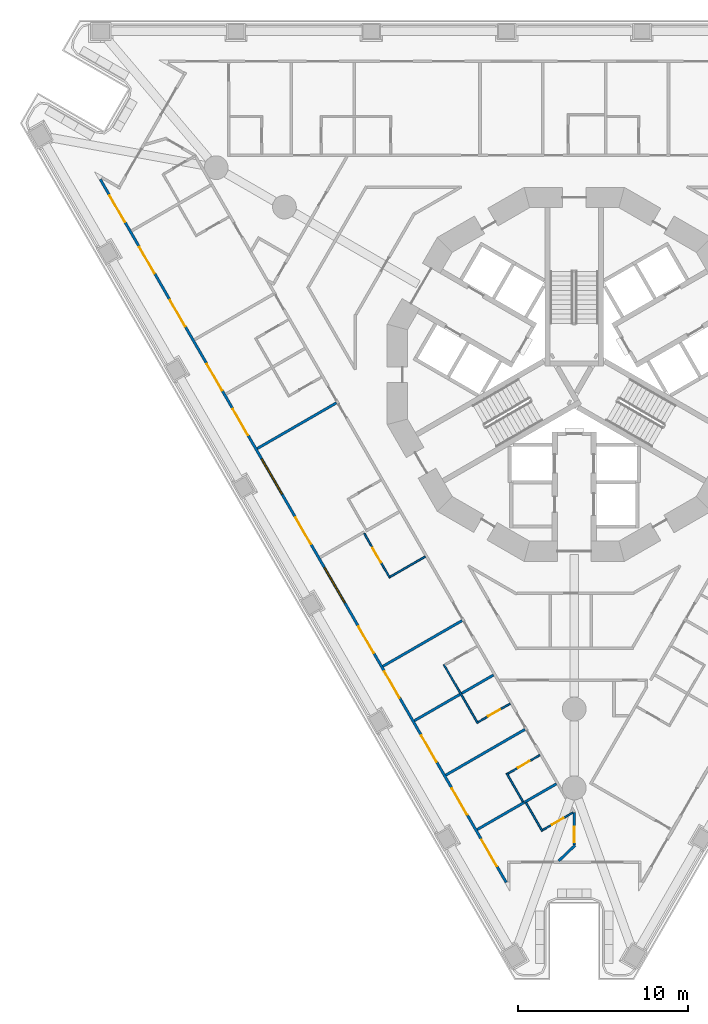
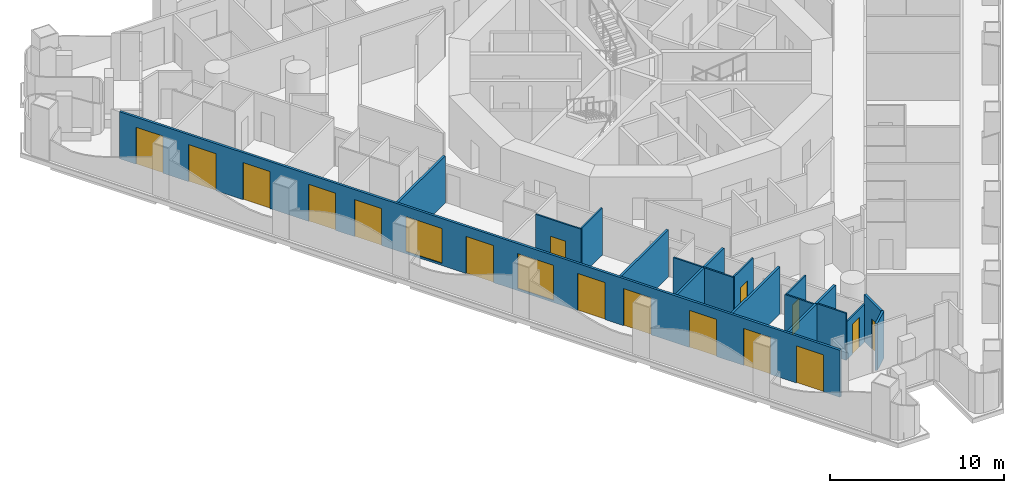
# One storey, part 2 of 19: 17 walls, 16 doors, 2 windows, 18 openings.
"""IFC4 building model written with IfcOpenShell, lengths in metres."""

from ifc_helpers import new_model, si_unit, direction, frame, frame_2d, origin, place, context, subcontext, project, spatial, polyline, rectangle, outline, extrude, material, layer, layer_set, type_object, element, fill, save


model = new_model("IFC4")

# Units and contexts
model_context = context("Model", 3, precision=1e-05, world=origin(), true_north=direction((0.0, 1.0)))
body_context = subcontext(model_context, "Body", "Model", "MODEL_VIEW")
ifc_project = project(units=[si_unit("LENGTHUNIT", "METRE"), si_unit("AREAUNIT", "SQUARE_METRE"), si_unit("VOLUMEUNIT", "CUBIC_METRE"), si_unit("PLANEANGLEUNIT", "RADIAN"), si_unit("MASSUNIT", "GRAM", prefix="KILO")], contexts=[model_context])

# Site, building, storey
site_placement = place(None, origin())
site = spatial("IfcSite", under=ifc_project, at=site_placement, CompositionType="ELEMENT")
building_placement = place(site_placement, origin())
building = spatial("IfcBuilding", under=site, at=building_placement, Name="Trine Commons Tower", CompositionType="ELEMENT")
storey_placement = place(building_placement, frame((0.0, 0.0, 31.5)))
storey = spatial("IfcBuildingStorey", under=building, at=storey_placement, Name="L06", CompositionType="ELEMENT", Elevation=31.5)

# Wall, openings, windows, doors
ifc_material_1 = material(Name="Aluminium-framed insulated wall panel", Category="aluminium")
ifc_layer_1 = layer(ifc_material_1, 0.14990234375)
ifc_layer_set_1 = layer_set([ifc_layer_1], Name="Aluminium-framed insulated wall panel")
wall_type_1 = type_object("IfcWallType", Name="Glazed frame wall 150, EI 60", PredefinedType="SOLIDWALL", material=ifc_layer_set_1)
wall_1_placement = place(storey_placement, frame((76.069580078125, 32.46826171875, 0.0), z_axis=(0.0, 0.0, 1.0), x_axis=(-0.499998600735, 0.866026211649, 0.0)))
wall_1 = element("IfcWall", 1, at=wall_1_placement, inside=storey, type_object=wall_type_1, Name="Glazed frame wall F3", PredefinedType="SOLIDWALL", context=body_context, shape_type="SweptSolid", body=[
    extrude(outline(polyline([(0.1494140625, 0.074951171875), (0.1494140625, -0.074951171875), (47.93701171875, -0.074951171875), (47.93701171875, 0.074951171875), (0.1494140625, 0.074951171875)])), origin(), (0.0, 0.0, 1.0), 3.300048828125),
])
opening_1_placement = place(wall_1_placement, frame((1.24951171875, 0.0, 0.0)))
opening_1 = element("IfcOpeningElement", 2, at=opening_1_placement, cuts=wall_1, Name="Opening BD-1F3-01", PredefinedType="OPENING", context=body_context, shape_type="SweptSolid", body=[
    extrude(rectangle(XDim=1.800048828125, YDim=2.60009765625, at=frame_2d((0.89990234375, 1.300048828125))), frame((0.0, 0.0849609375, 0.0), z_axis=(0.0, -1.0, 0.0), x_axis=(1.0, 0.0, 0.0)), (0.0, 0.0, 1.0), 0.169921875),
])
opening_2_placement = place(wall_1_placement, frame((4.748291015625, 0.0, 0.0)))
opening_2 = element("IfcOpeningElement", 3, at=opening_2_placement, cuts=wall_1, Name="Opening BD-1F3-02", PredefinedType="OPENING", context=body_context, shape_type="SweptSolid", body=[
    extrude(rectangle(XDim=1.800048828125, YDim=2.60009765625, at=frame_2d((0.89990234375, 1.300048828125))), frame((0.0, 0.0849609375, 0.0), z_axis=(0.0, -1.0, 0.0), x_axis=(1.0, 0.0, 0.0)), (0.0, 0.0, 1.0), 0.169921875),
])
opening_3_placement = place(wall_1_placement, frame((8.347412109375, 0.0, 0.0)))
opening_3 = element("IfcOpeningElement", 4, at=opening_3_placement, cuts=wall_1, Name="Opening BD-1F3-03", PredefinedType="OPENING", context=body_context, shape_type="SweptSolid", body=[
    extrude(rectangle(XDim=1.800048828125, YDim=2.60009765625, at=frame_2d((0.89990234375, 1.300048828125))), frame((0.0, 0.0849609375, 0.0), z_axis=(0.0, -1.0, 0.0), x_axis=(1.0, 0.0, 0.0)), (0.0, 0.0, 1.0), 0.169921875),
])
opening_4_placement = place(wall_1_placement, frame((12.69580078125, 0.0, 0.0)))
opening_4 = element("IfcOpeningElement", 5, at=opening_4_placement, cuts=wall_1, Name="Opening BD-1F3-04", PredefinedType="OPENING", context=body_context, shape_type="SweptSolid", body=[
    extrude(rectangle(XDim=1.800048828125, YDim=2.60009765625, at=frame_2d((0.89990234375, 1.300048828125))), frame((0.0, 0.0849609375, 0.0), z_axis=(0.0, -1.0, 0.0), x_axis=(1.0, 0.0, 0.0)), (0.0, 0.0, 1.0), 0.169921875),
])
opening_5_placement = place(wall_1_placement, frame((15.7451171875, 0.0, 0.0)))
opening_5 = element("IfcOpeningElement", 6, at=opening_5_placement, cuts=wall_1, Name="Opening BD-1F3-05", PredefinedType="OPENING", context=body_context, shape_type="SweptSolid", body=[
    extrude(rectangle(XDim=1.800048828125, YDim=2.60009765625, at=frame_2d((0.89990234375, 1.300048828125))), frame((0.0, 0.0849609375, 0.0), z_axis=(0.0, -1.0, 0.0), x_axis=(1.0, 0.0, 0.0)), (0.0, 0.0, 1.0), 0.169921875),
])
opening_6_placement = place(wall_1_placement, frame((19.14404296875, 0.0, 0.14990234375)))
opening_6 = element("IfcOpeningElement", 7, at=opening_6_placement, cuts=wall_1, Name="Opening W-1F3-06", PredefinedType="OPENING", context=body_context, shape_type="SweptSolid", body=[
    extrude(rectangle(XDim=2.39990234375, YDim=2.449951171875, at=frame_2d((1.199951171875, 1.22509765625))), frame((0.0, 0.0849609375, 0.0), z_axis=(0.0, -1.0, 0.0), x_axis=(1.0, 0.0, 0.0)), (0.0, 0.0, 1.0), 0.169921875),
])
opening_7_placement = place(wall_1_placement, frame((23.142822265625, 0.0, 0.0)))
opening_7 = element("IfcOpeningElement", 8, at=opening_7_placement, cuts=wall_1, Name="Opening BD-1F3-07", PredefinedType="OPENING", context=body_context, shape_type="SweptSolid", body=[
    extrude(rectangle(XDim=1.800048828125, YDim=2.60009765625, at=frame_2d((0.89990234375, 1.300048828125))), frame((0.0, 0.0849609375, 0.0), z_axis=(0.0, -1.0, 0.0), x_axis=(1.0, 0.0, 0.0)), (0.0, 0.0, 1.0), 0.169921875),
])
opening_8_placement = place(wall_1_placement, frame((26.541748046875, 0.0, 0.14990234375)))
opening_8 = element("IfcOpeningElement", 9, at=opening_8_placement, cuts=wall_1, Name="Opening W-1F3-08", PredefinedType="OPENING", context=body_context, shape_type="SweptSolid", body=[
    extrude(rectangle(XDim=2.39990234375, YDim=2.449951171875, at=frame_2d((1.199951171875, 1.22509765625))), frame((0.0, 0.0849609375, 0.0), z_axis=(0.0, -1.0, 0.0), x_axis=(1.0, 0.0, 0.0)), (0.0, 0.0, 1.0), 0.169921875),
])
opening_9_placement = place(wall_1_placement, frame((30.54052734375, 0.0, 0.0)))
opening_9 = element("IfcOpeningElement", 10, at=opening_9_placement, cuts=wall_1, Name="Opening BD-1F3-09", PredefinedType="OPENING", context=body_context, shape_type="SweptSolid", body=[
    extrude(rectangle(XDim=1.800048828125, YDim=2.60009765625, at=frame_2d((0.89990234375, 1.300048828125))), frame((0.0, 0.0849609375, 0.0), z_axis=(0.0, -1.0, 0.0), x_axis=(1.0, 0.0, 0.0)), (0.0, 0.0, 1.0), 0.169921875),
])
opening_10_placement = place(wall_1_placement, frame((33.590087890625, 0.0, 0.0)))
opening_10 = element("IfcOpeningElement", 11, at=opening_10_placement, cuts=wall_1, Name="Opening BD-1F3-10", PredefinedType="OPENING", context=body_context, shape_type="SweptSolid", body=[
    extrude(rectangle(XDim=1.800048828125, YDim=2.60009765625, at=frame_2d((0.89990234375, 1.300048828125))), frame((0.0, 0.0849609375, 0.0), z_axis=(0.0, -1.0, 0.0), x_axis=(1.0, 0.0, 0.0)), (0.0, 0.0, 1.0), 0.169921875),
])
opening_11_placement = place(wall_1_placement, frame((37.9384765625, 0.0, 0.0)))
opening_11 = element("IfcOpeningElement", 12, at=opening_11_placement, cuts=wall_1, Name="Opening BD-1F3-11", PredefinedType="OPENING", context=body_context, shape_type="SweptSolid", body=[
    extrude(rectangle(XDim=1.800048828125, YDim=2.60009765625, at=frame_2d((0.89990234375, 1.300048828125))), frame((0.0, 0.0849609375, 0.0), z_axis=(0.0, -1.0, 0.0), x_axis=(1.0, 0.0, 0.0)), (0.0, 0.0, 1.0), 0.169921875),
])
opening_12_placement = place(wall_1_placement, frame((41.537353515625, 0.0, 0.0)))
opening_12 = element("IfcOpeningElement", 13, at=opening_12_placement, cuts=wall_1, Name="Opening BD-1F3-12", PredefinedType="OPENING", context=body_context, shape_type="SweptSolid", body=[
    extrude(rectangle(XDim=1.800048828125, YDim=2.60009765625, at=frame_2d((0.89990234375, 1.300048828125))), frame((0.0, 0.0849609375, 0.0), z_axis=(0.0, -1.0, 0.0), x_axis=(1.0, 0.0, 0.0)), (0.0, 0.0, 1.0), 0.169921875),
])
opening_13_placement = place(wall_1_placement, frame((45.036376953125, 0.0, 0.0)))
opening_13 = element("IfcOpeningElement", 14, at=opening_13_placement, cuts=wall_1, Name="Opening BD-1F3-13", PredefinedType="OPENING", context=body_context, shape_type="SweptSolid", body=[
    extrude(rectangle(XDim=1.800048828125, YDim=2.60009765625, at=frame_2d((0.89990234375, 1.300048828125))), frame((0.0, 0.0849609375, 0.0), z_axis=(0.0, -1.0, 0.0), x_axis=(1.0, 0.0, 0.0)), (0.0, 0.0, 1.0), 0.169921875),
])
ifc_material_2 = material(Name="Anodised aluminium frame with double glazing", Category="aluminium")
window_type = type_object("IfcWindowType", Name="Fixed window 2400x2450", PartitioningType="SINGLE_PANEL", PredefinedType="WINDOW", material=ifc_material_2)
window_1_placement = place(opening_6_placement, origin())
window_1 = element("IfcWindow", 15, at=window_1_placement, inside=storey, type_object=window_type, Name="Window F3 6", OverallHeight=2.449951171875, OverallWidth=2.39990234375, PartitioningType="SINGLE_PANEL", PredefinedType="WINDOW", context=body_context, shape_type="SweptSolid", body=[
    extrude(rectangle(XDim=2.39990234375, YDim=2.449951171875, at=frame_2d((1.199951171875, 1.22509765625))), frame((0.0, 0.030029296875, 0.0), z_axis=(0.0, -1.0, 0.0), x_axis=(1.0, 0.0, 0.0)), (0.0, 0.0, 1.0), 0.06005859375),
])
fill(opening_6, window_1)
window_2_placement = place(opening_8_placement, origin())
window_2 = element("IfcWindow", 16, at=window_2_placement, inside=storey, type_object=window_type, Name="Window F3 8", OverallHeight=2.449951171875, OverallWidth=2.39990234375, PartitioningType="SINGLE_PANEL", PredefinedType="WINDOW", context=body_context, shape_type="SweptSolid", body=[
    extrude(rectangle(XDim=2.39990234375, YDim=2.449951171875, at=frame_2d((1.199951171875, 1.22509765625))), frame((0.0, 0.030029296875, 0.0), z_axis=(0.0, -1.0, 0.0), x_axis=(1.0, 0.0, 0.0)), (0.0, 0.0, 1.0), 0.06005859375),
])
fill(opening_8, window_2)
door_type_1 = type_object("IfcDoorType", Name="Sliding loggia door 1800x2600", OperationType="SLIDING_TO_LEFT", PredefinedType="DOOR", material=ifc_material_2)
door_1_placement = place(opening_1_placement, origin())
door_1 = element("IfcDoor", 17, at=door_1_placement, inside=storey, type_object=door_type_1, Name="Loggia door F3 1", OperationType="SLIDING_TO_LEFT", OverallHeight=2.60009765625, OverallWidth=1.800048828125, PredefinedType="DOOR", context=body_context, shape_type="SweptSolid", body=[
    extrude(rectangle(XDim=1.800048828125, YDim=2.60009765625, at=frame_2d((0.89990234375, 1.300048828125))), frame((0.0, 0.02490234375, 0.0), z_axis=(0.0, -1.0, 0.0), x_axis=(1.0, 0.0, 0.0)), (0.0, 0.0, 1.0), 0.050048828125),
])
fill(opening_1, door_1)
door_2_placement = place(opening_2_placement, origin())
door_2 = element("IfcDoor", 18, at=door_2_placement, inside=storey, type_object=door_type_1, Name="Loggia door F3 2", OperationType="SLIDING_TO_LEFT", OverallHeight=2.60009765625, OverallWidth=1.800048828125, PredefinedType="DOOR", context=body_context, shape_type="SweptSolid", body=[
    extrude(rectangle(XDim=1.800048828125, YDim=2.60009765625, at=frame_2d((0.89990234375, 1.300048828125))), frame((0.0, 0.02490234375, 0.0), z_axis=(0.0, -1.0, 0.0), x_axis=(1.0, 0.0, 0.0)), (0.0, 0.0, 1.0), 0.050048828125),
])
fill(opening_2, door_2)
door_3_placement = place(opening_3_placement, origin())
door_3 = element("IfcDoor", 19, at=door_3_placement, inside=storey, type_object=door_type_1, Name="Loggia door F3 3", OperationType="SLIDING_TO_LEFT", OverallHeight=2.60009765625, OverallWidth=1.800048828125, PredefinedType="DOOR", context=body_context, shape_type="SweptSolid", body=[
    extrude(rectangle(XDim=1.800048828125, YDim=2.60009765625, at=frame_2d((0.89990234375, 1.300048828125))), frame((0.0, 0.02490234375, 0.0), z_axis=(0.0, -1.0, 0.0), x_axis=(1.0, 0.0, 0.0)), (0.0, 0.0, 1.0), 0.050048828125),
])
fill(opening_3, door_3)
door_4_placement = place(opening_4_placement, origin())
door_4 = element("IfcDoor", 20, at=door_4_placement, inside=storey, type_object=door_type_1, Name="Loggia door F3 4", OperationType="SLIDING_TO_LEFT", OverallHeight=2.60009765625, OverallWidth=1.800048828125, PredefinedType="DOOR", context=body_context, shape_type="SweptSolid", body=[
    extrude(rectangle(XDim=1.800048828125, YDim=2.60009765625, at=frame_2d((0.89990234375, 1.300048828125))), frame((0.0, 0.02490234375, 0.0), z_axis=(0.0, -1.0, 0.0), x_axis=(1.0, 0.0, 0.0)), (0.0, 0.0, 1.0), 0.050048828125),
])
fill(opening_4, door_4)
door_5_placement = place(opening_5_placement, origin())
door_5 = element("IfcDoor", 21, at=door_5_placement, inside=storey, type_object=door_type_1, Name="Loggia door F3 5", OperationType="SLIDING_TO_LEFT", OverallHeight=2.60009765625, OverallWidth=1.800048828125, PredefinedType="DOOR", context=body_context, shape_type="SweptSolid", body=[
    extrude(rectangle(XDim=1.800048828125, YDim=2.60009765625, at=frame_2d((0.89990234375, 1.300048828125))), frame((0.0, 0.02490234375, 0.0), z_axis=(0.0, -1.0, 0.0), x_axis=(1.0, 0.0, 0.0)), (0.0, 0.0, 1.0), 0.050048828125),
])
fill(opening_5, door_5)
door_6_placement = place(opening_7_placement, origin())
door_6 = element("IfcDoor", 22, at=door_6_placement, inside=storey, type_object=door_type_1, Name="Loggia door F3 7", OperationType="SLIDING_TO_LEFT", OverallHeight=2.60009765625, OverallWidth=1.800048828125, PredefinedType="DOOR", context=body_context, shape_type="SweptSolid", body=[
    extrude(rectangle(XDim=1.800048828125, YDim=2.60009765625, at=frame_2d((0.89990234375, 1.300048828125))), frame((0.0, 0.02490234375, 0.0), z_axis=(0.0, -1.0, 0.0), x_axis=(1.0, 0.0, 0.0)), (0.0, 0.0, 1.0), 0.050048828125),
])
fill(opening_7, door_6)
door_7_placement = place(opening_9_placement, origin())
door_7 = element("IfcDoor", 23, at=door_7_placement, inside=storey, type_object=door_type_1, Name="Loggia door F3 9", OperationType="SLIDING_TO_LEFT", OverallHeight=2.60009765625, OverallWidth=1.800048828125, PredefinedType="DOOR", context=body_context, shape_type="SweptSolid", body=[
    extrude(rectangle(XDim=1.800048828125, YDim=2.60009765625, at=frame_2d((0.89990234375, 1.300048828125))), frame((0.0, 0.02490234375, 0.0), z_axis=(0.0, -1.0, 0.0), x_axis=(1.0, 0.0, 0.0)), (0.0, 0.0, 1.0), 0.050048828125),
])
fill(opening_9, door_7)
door_8_placement = place(opening_10_placement, origin())
door_8 = element("IfcDoor", 24, at=door_8_placement, inside=storey, type_object=door_type_1, Name="Loggia door F3 10", OperationType="SLIDING_TO_LEFT", OverallHeight=2.60009765625, OverallWidth=1.800048828125, PredefinedType="DOOR", context=body_context, shape_type="SweptSolid", body=[
    extrude(rectangle(XDim=1.800048828125, YDim=2.60009765625, at=frame_2d((0.89990234375, 1.300048828125))), frame((0.0, 0.02490234375, 0.0), z_axis=(0.0, -1.0, 0.0), x_axis=(1.0, 0.0, 0.0)), (0.0, 0.0, 1.0), 0.050048828125),
])
fill(opening_10, door_8)
door_9_placement = place(opening_11_placement, origin())
door_9 = element("IfcDoor", 25, at=door_9_placement, inside=storey, type_object=door_type_1, Name="Loggia door F3 11", OperationType="SLIDING_TO_LEFT", OverallHeight=2.60009765625, OverallWidth=1.800048828125, PredefinedType="DOOR", context=body_context, shape_type="SweptSolid", body=[
    extrude(rectangle(XDim=1.800048828125, YDim=2.60009765625, at=frame_2d((0.89990234375, 1.300048828125))), frame((0.0, 0.02490234375, 0.0), z_axis=(0.0, -1.0, 0.0), x_axis=(1.0, 0.0, 0.0)), (0.0, 0.0, 1.0), 0.050048828125),
])
fill(opening_11, door_9)
door_10_placement = place(opening_12_placement, origin())
door_10 = element("IfcDoor", 26, at=door_10_placement, inside=storey, type_object=door_type_1, Name="Loggia door F3 12", OperationType="SLIDING_TO_LEFT", OverallHeight=2.60009765625, OverallWidth=1.800048828125, PredefinedType="DOOR", context=body_context, shape_type="SweptSolid", body=[
    extrude(rectangle(XDim=1.800048828125, YDim=2.60009765625, at=frame_2d((0.89990234375, 1.300048828125))), frame((0.0, 0.02490234375, 0.0), z_axis=(0.0, -1.0, 0.0), x_axis=(1.0, 0.0, 0.0)), (0.0, 0.0, 1.0), 0.050048828125),
])
fill(opening_12, door_10)
door_11_placement = place(opening_13_placement, origin())
door_11 = element("IfcDoor", 27, at=door_11_placement, inside=storey, type_object=door_type_1, Name="Loggia door F3 13", OperationType="SLIDING_TO_LEFT", OverallHeight=2.60009765625, OverallWidth=1.800048828125, PredefinedType="DOOR", context=body_context, shape_type="SweptSolid", body=[
    extrude(rectangle(XDim=1.800048828125, YDim=2.60009765625, at=frame_2d((0.89990234375, 1.300048828125))), frame((0.0, 0.02490234375, 0.0), z_axis=(0.0, -1.0, 0.0), x_axis=(1.0, 0.0, 0.0)), (0.0, 0.0, 1.0), 0.050048828125),
])
fill(opening_13, door_11)

# Walls
ifc_material_3 = material(Name="Gypsum plasterboard on steel stud", Category="steel")
ifc_layer_2 = layer(ifc_material_3, 0.14990234375)
ifc_layer_set_2 = layer_set([ifc_layer_2], Name="Gypsum plasterboard on steel stud")
wall_type_2 = type_object("IfcWallType", Name="Unit and corridor wall 150 mm, EI 60", PredefinedType="PARTITIONING", material=ifc_layer_set_2)
for number, where, z_axis, x_axis, name in (
    (28, (61.338623046875, 58.133056640625, 0.0), (0.0, 0.0, 1.0), (0.866057962423, 0.499943602543, 0.0), "Partition 019"),
    (29, (68.736572265625, 45.319091796875, 0.0), (0.0, 0.0, 1.0), (0.866057962423, 0.499943602543, 0.0), "Partition 043"),
):
    element("IfcWall", number, at=place(storey_placement, frame(where, z_axis=z_axis, x_axis=x_axis)), inside=storey, type_object=wall_type_2, Name=name, PredefinedType="PARTITIONING", context=body_context, shape_type="SweptSolid", body=[
        extrude(rectangle(XDim=5.38330078125, YDim=0.14990234375, at=frame_2d((2.691650390625, 0.0))), origin(), (0.0, 0.0, 1.0), 3.300048828125),
    ])
wall_2_placement = place(storey_placement, frame((70.586669921875, 42.115966796875, 0.0), z_axis=(0.0, 0.0, 1.0), x_axis=(0.865992970276, 0.500056172277, 0.0)))
element("IfcWall", 30, at=wall_2_placement, inside=storey, type_object=wall_type_2, Name="Partition 046", PredefinedType="PARTITIONING", context=body_context, shape_type="SweptSolid", body=[
    extrude(rectangle(XDim=5.3828125, YDim=0.14990234375, at=frame_2d((2.69140625, 0.0))), origin(), (0.0, 0.0, 1.0), 3.300048828125),
])
wall_3_placement = place(storey_placement, frame((72.435546875, 38.912109375, 0.0), z_axis=(0.0, 0.0, 1.0), x_axis=(0.86599075498, 0.500060008688, 0.0)))
element("IfcWall", 31, at=wall_3_placement, inside=storey, type_object=wall_type_2, Name="Partition 050", PredefinedType="PARTITIONING", context=body_context, shape_type="SweptSolid", body=[
    extrude(rectangle(XDim=5.384033203125, YDim=0.14990234375, at=frame_2d((2.69189453125, 0.0))), origin(), (0.0, 0.0, 1.0), 3.300048828125),
])
wall_4_placement = place(storey_placement, frame((74.28564453125, 35.708984375, 0.0), z_axis=(0.0, 0.0, 1.0), x_axis=(0.865960198283, 0.500112922239, 0.0)))
element("IfcWall", 32, at=wall_4_placement, inside=storey, type_object=wall_type_2, Name="Partition 053", PredefinedType="PARTITIONING", context=body_context, shape_type="SweptSolid", body=[
    extrude(rectangle(XDim=3.211181640625, YDim=0.14990234375, at=frame_2d((1.60546875, 0.0))), origin(), (0.0, 0.0, 1.0), 3.300048828125),
])
wall_5_placement = place(storey_placement, frame((77.080810546875, 37.322998046875, 0.0), z_axis=(0.0, 0.0, 1.0), x_axis=(0.866038426532, 0.499977443261, 0.0)))
element("IfcWall", 33, at=wall_5_placement, inside=storey, type_object=wall_type_2, Name="Partition 062", PredefinedType="PARTITIONING", context=body_context, shape_type="SweptSolid", body=[
    extrude(rectangle(XDim=2.15478515625, YDim=0.14990234375, at=frame_2d((1.077392578125, 0.0))), origin(), (0.0, 0.0, 1.0), 3.300048828125),
])
wall_6_placement = place(storey_placement, frame((79.078857421875, 33.857666015625, 0.0), z_axis=(0.0, 0.0, 1.0), x_axis=(0.722940474112, 0.69091032044, 0.0)))
element("IfcWall", 34, at=wall_6_placement, inside=storey, type_object=wall_type_2, Name="Partition 066", PredefinedType="PARTITIONING", context=body_context, shape_type="SweptSolid", body=[
    extrude(rectangle(XDim=1.34912109375, YDim=0.14990234375, at=frame_2d((0.674560546875, 0.0))), origin(), (0.0, 0.0, 1.0), 3.300048828125),
])

# Wall, opening, door
wall_7_placement = place(storey_placement, frame((80.0, 34.81298828125, 0.0), z_axis=(0.0, 0.0, 1.0), x_axis=(0.0, 1.0, 0.0)))
wall_7 = element("IfcWall", 35, at=wall_7_placement, inside=storey, type_object=wall_type_2, Name="Partition 069", PredefinedType="PARTITIONING", context=body_context, shape_type="SweptSolid", body=[
    extrude(rectangle(XDim=1.9140625, YDim=0.14990234375, at=frame_2d((0.95703125, 0.0))), origin(), (0.0, 0.0, 1.0), 3.300048828125),
])
opening_14_placement = place(wall_7_placement, frame((0.14990234375, 0.0, 0.0)))
opening_14 = element("IfcOpeningElement", 36, at=opening_14_placement, cuts=wall_7, Name="Opening D-1A24", PredefinedType="OPENING", context=body_context, shape_type="SweptSolid", body=[
    extrude(rectangle(XDim=0.89990234375, YDim=2.10009765625, at=frame_2d((0.449951171875, 1.050048828125))), frame((0.0, 0.0849609375, 0.0), z_axis=(0.0, -1.0, 0.0), x_axis=(1.0, 0.0, 0.0)), (0.0, 0.0, 1.0), 0.169921875),
])
ifc_material_4 = material(Name="Timber fire door set", Category="wood")
door_type_2 = type_object("IfcDoorType", Name="Bedroom door 900 x 2100, FD30S", OperationType="NOTDEFINED", PredefinedType="DOOR", material=ifc_material_4)
door_12_placement = place(opening_14_placement, origin())
door_12 = element("IfcDoor", 37, at=door_12_placement, inside=storey, type_object=door_type_2, Name="Door D-1A24", OperationType="SINGLE_SWING_LEFT", OverallHeight=2.10009765625, OverallWidth=0.89990234375, PredefinedType="DOOR", context=body_context, shape_type="SweptSolid", body=[
    extrude(rectangle(XDim=0.89990234375, YDim=2.10009765625, at=frame_2d((0.449951171875, 1.050048828125))), frame((0.0, 0.02490234375, 0.0), z_axis=(0.0, -1.0, 0.0), x_axis=(1.0, 0.0, 0.0)), (0.0, 0.0, 1.0), 0.050048828125),
])
fill(opening_14, door_12)

ifc_layer_3 = layer(ifc_material_3, 0.10009765625)
ifc_layer_set_3 = layer_set([ifc_layer_3], Name="Gypsum plasterboard on steel stud")
wall_type_3 = type_object("IfcWallType", Name="Unit partition 100 mm, no rating", PredefinedType="PARTITIONING", material=ifc_layer_set_3)
wall_8_placement = place(storey_placement, frame((67.637451171875, 53.139892578125, 0.0), z_axis=(0.0, 0.0, 1.0), x_axis=(0.49993202411, -0.866064646126, 0.0)))
wall_8 = element("IfcWall", 38, at=wall_8_placement, inside=storey, type_object=wall_type_3, Name="Partition 040", PredefinedType="PARTITIONING", context=body_context, shape_type="SweptSolid", body=[
    extrude(rectangle(XDim=3.025390625, YDim=0.10009765625, at=frame_2d((1.5126953125, 0.0))), origin(), (0.0, 0.0, 1.0), 3.300048828125),
])
opening_15_placement = place(wall_8_placement, frame((0.98779296875, 0.0, 0.0)))
opening_15 = element("IfcOpeningElement", 39, at=opening_15_placement, cuts=wall_8, Name="Opening D-1A60", PredefinedType="OPENING", context=body_context, shape_type="SweptSolid", body=[
    extrude(rectangle(XDim=1.0, YDim=2.10009765625, at=frame_2d((0.5, 1.050048828125))), frame((0.0, 0.06005859375, 0.0), z_axis=(0.0, -1.0, 0.0), x_axis=(1.0, 0.0, 0.0)), (0.0, 0.0, 1.0), 0.1201171875),
])
ifc_material_5 = material(Name="Painted timber", Category="wood")
door_type_3 = type_object("IfcDoorType", Name="Internal door 1000 x 2100, NOT RATED", OperationType="NOTDEFINED", PredefinedType="DOOR", material=ifc_material_5)
door_13_placement = place(opening_15_placement, frame((1.0, 0.0, 0.0), z_axis=(0.0, 0.0, 1.0), x_axis=(-1.0, 0.0, 0.0)))
door_13 = element("IfcDoor", 40, at=door_13_placement, inside=storey, type_object=door_type_3, Name="Door D-1A60", OperationType="SINGLE_SWING_RIGHT", OverallHeight=2.10009765625, OverallWidth=1.0, PredefinedType="DOOR", context=body_context, shape_type="SweptSolid", body=[
    extrude(rectangle(XDim=1.0, YDim=2.10009765625, at=frame_2d((0.5, 1.050048828125))), frame((0.0, 0.02490234375, 0.0), z_axis=(0.0, -1.0, 0.0), x_axis=(1.0, 0.0, 0.0)), (0.0, 0.0, 1.0), 0.050048828125),
])
fill(opening_15, door_13)

# Walls
wall_9_placement = place(storey_placement, frame((69.168212890625, 50.587890625, 0.0), z_axis=(0.0, 0.0, 1.0), x_axis=(0.866033238375, 0.499986429846, 0.0)))
element("IfcWall", 41, at=wall_9_placement, inside=storey, type_object=wall_type_3, Name="Partition 044", PredefinedType="PARTITIONING", context=body_context, shape_type="SweptSolid", body=[
    extrude(rectangle(XDim=2.375, YDim=0.10009765625, at=frame_2d((1.1875, 0.0))), origin(), (0.0, 0.0, 1.0), 3.300048828125),
])
wall_10_placement = place(storey_placement, frame((72.321044921875, 45.42724609375, 0.0), z_axis=(0.0, 0.0, 1.0), x_axis=(0.499946095386, -0.866056523391, 0.0)))
element("IfcWall", 42, at=wall_10_placement, inside=storey, type_object=wall_type_3, Name="Partition 048", PredefinedType="PARTITIONING", context=body_context, shape_type="SweptSolid", body=[
    extrude(rectangle(XDim=4.00048828125, YDim=0.10009765625, at=frame_2d((2.000244140625, 0.0))), origin(), (0.0, 0.0, 1.0), 3.300048828125),
])

# Wall, opening, door
wall_11_placement = place(storey_placement, frame((74.33935546875, 42.031005859375, 0.0), z_axis=(0.0, 0.0, 1.0), x_axis=(0.866037911478, 0.499978335414, 0.0)))
wall_11 = element("IfcWall", 43, at=wall_11_placement, inside=storey, type_object=wall_type_3, Name="Partition 054", PredefinedType="PARTITIONING", context=body_context, shape_type="SweptSolid", body=[
    extrude(rectangle(XDim=2.1748046875, YDim=0.10009765625, at=frame_2d((1.08740234375, 0.0))), origin(), (0.0, 0.0, 1.0), 3.300048828125),
])
opening_16_placement = place(wall_11_placement, frame((0.6875, 0.0, 0.0)))
opening_16 = element("IfcOpeningElement", 44, at=opening_16_placement, cuts=wall_11, Name="Opening D-1A58", PredefinedType="OPENING", context=body_context, shape_type="SweptSolid", body=[
    extrude(rectangle(XDim=0.800048828125, YDim=2.10009765625, at=frame_2d((0.39990234375, 1.050048828125))), frame((0.0, 0.06005859375, 0.0), z_axis=(0.0, -1.0, 0.0), x_axis=(1.0, 0.0, 0.0)), (0.0, 0.0, 1.0), 0.1201171875),
])
door_type_4 = type_object("IfcDoorType", Name="Internal door 800 x 2100, NOT RATED", OperationType="NOTDEFINED", PredefinedType="DOOR", material=ifc_material_5)
door_14_placement = place(opening_16_placement, frame((0.800048828125, 0.0, 0.0), z_axis=(0.0, 0.0, 1.0), x_axis=(-1.0, 0.0, 0.0)))
door_14 = element("IfcDoor", 45, at=door_14_placement, inside=storey, type_object=door_type_4, Name="Door D-1A58", OperationType="SINGLE_SWING_LEFT", OverallHeight=2.10009765625, OverallWidth=0.800048828125, PredefinedType="DOOR", context=body_context, shape_type="SweptSolid", body=[
    extrude(rectangle(XDim=0.800048828125, YDim=2.10009765625, at=frame_2d((0.39990234375, 1.050048828125))), frame((0.0, 0.02490234375, 0.0), z_axis=(0.0, -1.0, 0.0), x_axis=(1.0, 0.0, 0.0)), (0.0, 0.0, 1.0), 0.050048828125),
])
fill(opening_16, door_14)

# Wall
wall_12_placement = place(storey_placement, frame((76.02001953125, 39.020263671875, 0.0), z_axis=(0.0, 0.0, 1.0), x_axis=(0.499931040243, -0.866065214058, 0.0)))
element("IfcWall", 46, at=wall_12_placement, inside=storey, type_object=wall_type_3, Name="Partition 057", PredefinedType="PARTITIONING", context=body_context, shape_type="SweptSolid", body=[
    extrude(rectangle(XDim=1.925048828125, YDim=0.10009765625, at=frame_2d((0.96240234375, 0.0))), origin(), (0.0, 0.0, 1.0), 3.300048828125),
])

# Wall, opening, door
wall_13_placement = place(storey_placement, frame((76.08837890625, 39.001953125, 0.0), z_axis=(0.0, 0.0, 1.0), x_axis=(0.865989304205, 0.500062521093, 0.0)))
wall_13 = element("IfcWall", 47, at=wall_13_placement, inside=storey, type_object=wall_type_3, Name="Partition 058", PredefinedType="PARTITIONING", context=body_context, shape_type="SweptSolid", body=[
    extrude(rectangle(XDim=2.175048828125, YDim=0.10009765625, at=frame_2d((1.08740234375, 0.0))), origin(), (0.0, 0.0, 1.0), 3.300048828125),
])
opening_17_placement = place(wall_13_placement, frame((0.6875, 0.0, 0.0)))
opening_17 = element("IfcOpeningElement", 48, at=opening_17_placement, cuts=wall_13, Name="Opening D-1A57", PredefinedType="OPENING", context=body_context, shape_type="SweptSolid", body=[
    extrude(rectangle(XDim=0.800048828125, YDim=2.10009765625, at=frame_2d((0.39990234375, 1.050048828125))), frame((0.0, 0.06005859375, 0.0), z_axis=(0.0, -1.0, 0.0), x_axis=(1.0, 0.0, 0.0)), (0.0, 0.0, 1.0), 0.1201171875),
])
door_15_placement = place(opening_17_placement, origin())
door_15 = element("IfcDoor", 49, at=door_15_placement, inside=storey, type_object=door_type_4, Name="Door D-1A57", OperationType="SINGLE_SWING_RIGHT", OverallHeight=2.10009765625, OverallWidth=0.800048828125, PredefinedType="DOOR", context=body_context, shape_type="SweptSolid", body=[
    extrude(rectangle(XDim=0.800048828125, YDim=2.10009765625, at=frame_2d((0.39990234375, 1.050048828125))), frame((0.0, 0.02490234375, 0.0), z_axis=(0.0, -1.0, 0.0), x_axis=(1.0, 0.0, 0.0)), (0.0, 0.0, 1.0), 0.050048828125),
])
fill(opening_17, door_15)

# Wall
wall_14_placement = place(storey_placement, frame((77.16162109375, 37.282958984375, 0.0), z_axis=(0.0, 0.0, 1.0), x_axis=(0.499931040243, -0.866065214058, 0.0)))
element("IfcWall", 50, at=wall_14_placement, inside=storey, type_object=wall_type_3, Name="Partition 061", PredefinedType="PARTITIONING", context=body_context, shape_type="SweptSolid", body=[
    extrude(rectangle(XDim=1.925048828125, YDim=0.10009765625, at=frame_2d((0.96240234375, 0.0))), origin(), (0.0, 0.0, 1.0), 3.300048828125),
])

# Wall, opening, door
wall_15_placement = place(storey_placement, frame((78.142333984375, 35.68408203125, 0.0), z_axis=(0.0, 0.0, 1.0), x_axis=(0.866070848188, 0.499921279722, 0.0)))
wall_15 = element("IfcWall", 51, at=wall_15_placement, inside=storey, type_object=wall_type_3, Name="Partition 063", PredefinedType="PARTITIONING", context=body_context, shape_type="SweptSolid", body=[
    extrude(rectangle(XDim=2.054931640625, YDim=0.10009765625, at=frame_2d((1.02734375, 0.0))), origin(), (0.0, 0.0, 1.0), 2.64990234375),
])
opening_18_placement = place(wall_15_placement, frame((0.627685546875, 0.0, 0.0)))
opening_18 = element("IfcOpeningElement", 52, at=opening_18_placement, cuts=wall_15, Name="Opening D-1A56", PredefinedType="OPENING", context=body_context, shape_type="SweptSolid", body=[
    extrude(rectangle(XDim=0.800048828125, YDim=2.10009765625, at=frame_2d((0.39990234375, 1.050048828125))), frame((0.0, 0.06005859375, 0.0), z_axis=(0.0, -1.0, 0.0), x_axis=(1.0, 0.0, 0.0)), (0.0, 0.0, 1.0), 0.1201171875),
])
door_16_placement = place(opening_18_placement, frame((0.800048828125, 0.0, 0.0), z_axis=(0.0, 0.0, 1.0), x_axis=(-1.0, 0.0, 0.0)))
door_16 = element("IfcDoor", 53, at=door_16_placement, inside=storey, type_object=door_type_4, Name="Door D-1A56", OperationType="SINGLE_SWING_LEFT", OverallHeight=2.10009765625, OverallWidth=0.800048828125, PredefinedType="DOOR", context=body_context, shape_type="SweptSolid", body=[
    extrude(rectangle(XDim=0.800048828125, YDim=2.10009765625, at=frame_2d((0.39990234375, 1.050048828125))), frame((0.0, 0.02490234375, 0.0), z_axis=(0.0, -1.0, 0.0), x_axis=(1.0, 0.0, 0.0)), (0.0, 0.0, 1.0), 0.050048828125),
])
fill(opening_18, door_16)

save(model, "model.ifc")
